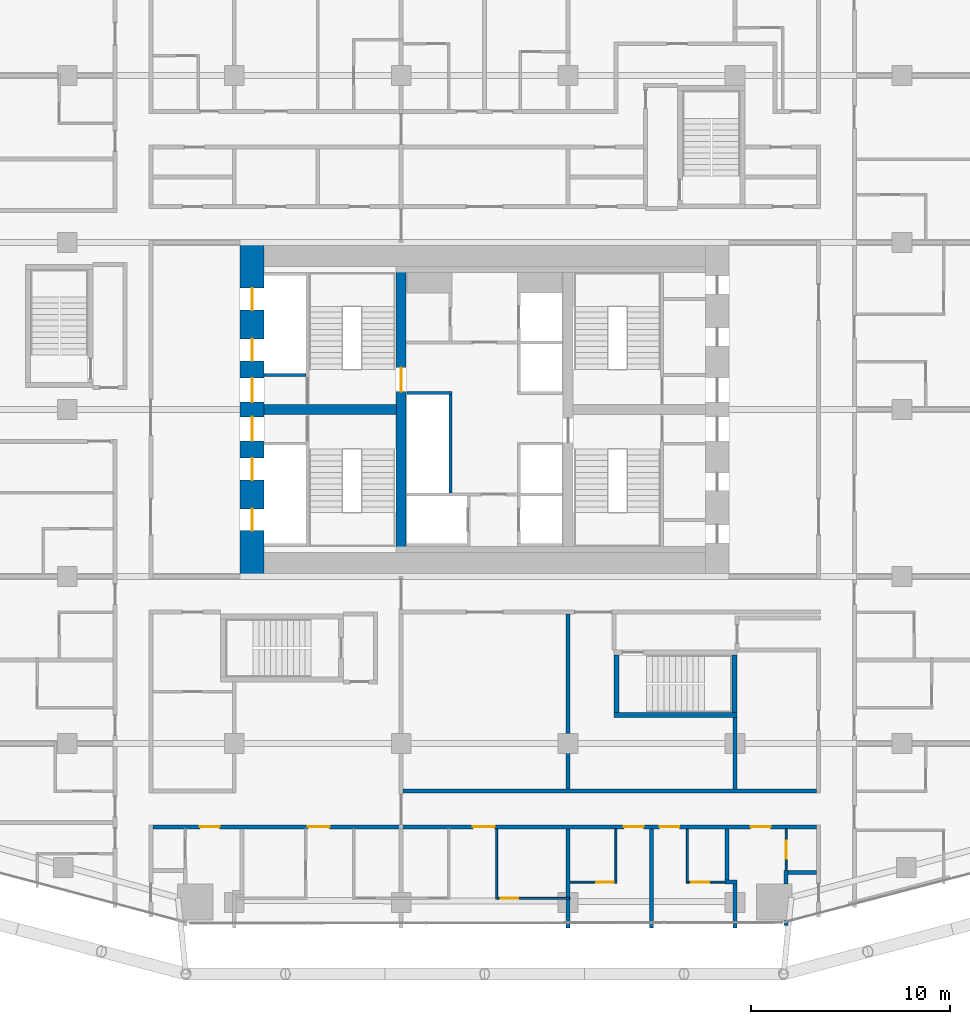
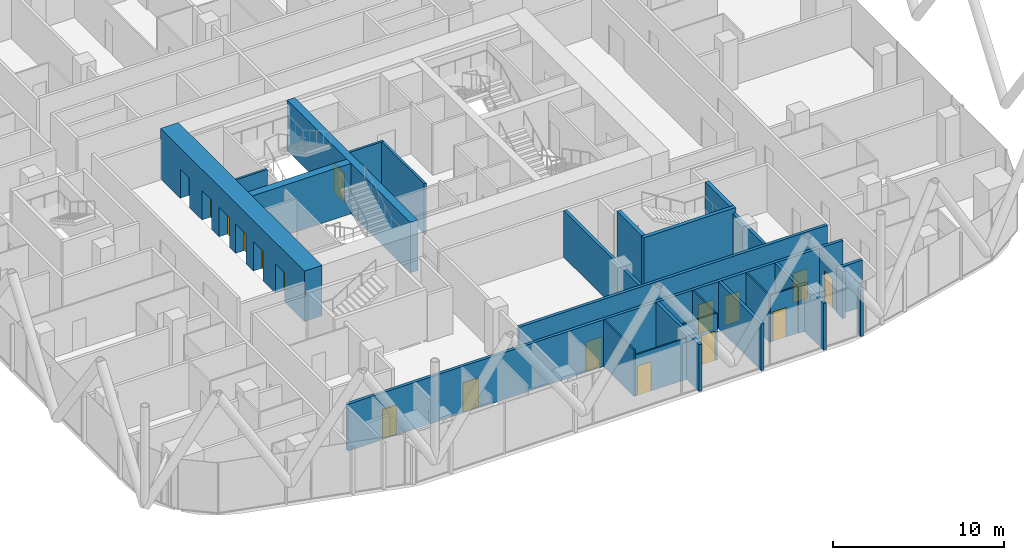
# One storey, part 26 of 34: 28 walls, 17 doors, 17 openings.
"""IFC4 building model written with IfcOpenShell, lengths in metres."""

from ifc_helpers import new_model, si_unit, direction, frame, frame_2d, origin, place, context, subcontext, project, spatial, rectangle, extrude, material, layer, layer_set, type_object, element, fill, save


model = new_model("IFC4")

# Units and contexts
model_context = context("Model", 3, precision=1e-05, world=origin(), true_north=direction((0.0, 1.0)))
body_context = subcontext(model_context, "Body", "Model", "MODEL_VIEW")
ifc_project = project(units=[si_unit("LENGTHUNIT", "METRE"), si_unit("AREAUNIT", "SQUARE_METRE"), si_unit("VOLUMEUNIT", "CUBIC_METRE"), si_unit("PLANEANGLEUNIT", "RADIAN"), si_unit("MASSUNIT", "GRAM", prefix="KILO")], contexts=[model_context])

# Site, building, storey
site_placement = place(None, origin())
site = spatial("IfcSite", under=ifc_project, at=site_placement, CompositionType="ELEMENT")
building_placement = place(site_placement, origin())
building = spatial("IfcBuilding", under=site, at=building_placement, Name="Marenta Gate Hotel Tower", CompositionType="ELEMENT")
storey_placement = place(building_placement, frame((0.0, 0.0, 76.10009765625)))
storey = spatial("IfcBuildingStorey", under=building, at=storey_placement, Name="L17", CompositionType="ELEMENT", Elevation=76.10009765625)

# Walls
ifc_material_1 = material(Name="Concrete C40", Category="concrete")
ifc_layer_1 = layer(ifc_material_1, 0.14990234375)
ifc_layer_set_1 = layer_set([ifc_layer_1], Name="Concrete C40")
wall_type_1 = type_object("IfcWallType", Name="Core shaft wall 150 REI 180", PredefinedType="SHEAR", material=ifc_layer_set_1)
wall_1_placement = place(storey_placement, frame((-11.10009765625, 10.125, 0.0), z_axis=(0.0, 0.0, 1.0), x_axis=(1.0, 0.0, 0.0)))
element("IfcWall", 1, at=wall_1_placement, inside=storey, type_object=wall_type_1, Name="L17-SHF-SW-WN-2", PredefinedType="SHEAR", context=body_context, shape_type="SweptSolid", body=[
    extrude(rectangle(XDim=2.10009765625, YDim=0.14990234375, at=frame_2d((1.050048828125, 0.0))), origin(), (0.0, 0.0, 1.0), 3.599853515625),
])
wall_2_placement = place(storey_placement, frame((-1.72509765625, 4.199951171875, 0.0), z_axis=(0.0, 0.0, 1.0), x_axis=(0.0, 1.0, 0.0)))
element("IfcWall", 2, at=wall_2_placement, inside=storey, type_object=wall_type_1, Name="L17-SHF-CW-W-front", PredefinedType="SHEAR", context=body_context, shape_type="SweptSolid", body=[
    extrude(rectangle(XDim=4.949951171875, YDim=0.14990234375, at=frame_2d((2.47509765625, 0.0))), origin(), (0.0, 0.0, 1.0), 3.599853515625),
])
wall_3_placement = place(storey_placement, frame((-3.89990234375, 9.22509765625, 0.0), z_axis=(0.0, 0.0, 1.0), x_axis=(1.0, 0.0, 0.0)))
element("IfcWall", 3, at=wall_3_placement, inside=storey, type_object=wall_type_1, Name="L17-SHF-CW-W-sep", PredefinedType="SHEAR", context=body_context, shape_type="SweptSolid", body=[
    extrude(rectangle(XDim=2.25, YDim=0.14990234375, at=frame_2d((1.125, 0.0))), origin(), (0.0, 0.0, 1.0), 3.599853515625),
])

# Wall, openings, doors
ifc_material_2 = material(Name="Concrete C80", Category="concrete")
ifc_layer_2 = layer(ifc_material_2, 1.199951171875)
ifc_layer_set_2 = layer_set([ifc_layer_2], Name="Concrete C80")
wall_type_2 = type_object("IfcWallType", Name="Core wall 1200 C80", PredefinedType="SHEAR", material=ifc_layer_set_2)
wall_4_placement = place(storey_placement, frame((-11.699951171875, 0.0, 0.0), z_axis=(0.0, 0.0, 1.0), x_axis=(0.0, 1.0, 0.0)))
wall_4 = element("IfcWall", 4, at=wall_4_placement, inside=storey, type_object=wall_type_2, Name="L17-CORE-W", PredefinedType="SHEAR", context=body_context, shape_type="SweptSolid", body=[
    extrude(rectangle(XDim=16.800048828125, YDim=1.199951171875, at=frame_2d((8.39990234375, 0.0))), origin(), (0.0, 0.0, 1.0), 3.599853515625),
])
opening_1_placement = place(wall_4_placement, frame((2.300048828125, 0.0, 0.0)))
opening_1 = element("IfcOpeningElement", 5, at=opening_1_placement, cuts=wall_4, Name="Opening LD-LR1", PredefinedType="OPENING", context=body_context, shape_type="SweptSolid", body=[
    extrude(rectangle(XDim=1.10009765625, YDim=2.10009765625, at=frame_2d((0.550048828125, 1.050048828125))), frame((0.0, 0.60009765625, 0.0), z_axis=(0.0, -1.0, 0.0), x_axis=(1.0, 0.0, 0.0)), (0.0, 0.0, 1.0), 1.199951171875),
])
opening_2_placement = place(wall_4_placement, frame((4.85009765625, 0.0, 0.0)))
opening_2 = element("IfcOpeningElement", 6, at=opening_2_placement, cuts=wall_4, Name="Opening LD-LR2", PredefinedType="OPENING", context=body_context, shape_type="SweptSolid", body=[
    extrude(rectangle(XDim=1.10009765625, YDim=2.10009765625, at=frame_2d((0.550048828125, 1.050048828125))), frame((0.0, 0.60009765625, 0.0), z_axis=(0.0, -1.0, 0.0), x_axis=(1.0, 0.0, 0.0)), (0.0, 0.0, 1.0), 1.199951171875),
])
opening_3_placement = place(wall_4_placement, frame((6.824951171875, 0.0, 0.0)))
opening_3 = element("IfcOpeningElement", 7, at=opening_3_placement, cuts=wall_4, Name="Opening PD-WS", PredefinedType="OPENING", context=body_context, shape_type="SweptSolid", body=[
    extrude(rectangle(XDim=1.199951171875, YDim=2.10009765625, at=frame_2d((0.60009765625, 1.050048828125))), frame((0.0, 0.60009765625, 0.0), z_axis=(0.0, -1.0, 0.0), x_axis=(1.0, 0.0, 0.0)), (0.0, 0.0, 1.0), 1.199951171875),
])
opening_4_placement = place(wall_4_placement, frame((13.39990234375, 0.0, 0.0)))
opening_4 = element("IfcOpeningElement", 8, at=opening_4_placement, cuts=wall_4, Name="Opening LD-LR4", PredefinedType="OPENING", context=body_context, shape_type="SweptSolid", body=[
    extrude(rectangle(XDim=1.10009765625, YDim=2.10009765625, at=frame_2d((0.550048828125, 1.050048828125))), frame((0.0, 0.60009765625, 0.0), z_axis=(0.0, -1.0, 0.0), x_axis=(1.0, 0.0, 0.0)), (0.0, 0.0, 1.0), 1.199951171875),
])
opening_5_placement = place(wall_4_placement, frame((10.85009765625, 0.0, 0.0)))
opening_5 = element("IfcOpeningElement", 9, at=opening_5_placement, cuts=wall_4, Name="Opening LD-LR3", PredefinedType="OPENING", context=body_context, shape_type="SweptSolid", body=[
    extrude(rectangle(XDim=1.10009765625, YDim=2.10009765625, at=frame_2d((0.550048828125, 1.050048828125))), frame((0.0, 0.60009765625, 0.0), z_axis=(0.0, -1.0, 0.0), x_axis=(1.0, 0.0, 0.0)), (0.0, 0.0, 1.0), 1.199951171875),
])
opening_6_placement = place(wall_4_placement, frame((8.77490234375, 0.0, 0.0)))
opening_6 = element("IfcOpeningElement", 10, at=opening_6_placement, cuts=wall_4, Name="Opening PD-WN", PredefinedType="OPENING", context=body_context, shape_type="SweptSolid", body=[
    extrude(rectangle(XDim=1.199951171875, YDim=2.10009765625, at=frame_2d((0.60009765625, 1.050048828125))), frame((0.0, 0.60009765625, 0.0), z_axis=(0.0, -1.0, 0.0), x_axis=(1.0, 0.0, 0.0)), (0.0, 0.0, 1.0), 1.199951171875),
])
ifc_material_3 = material(Name="Steel", Category="steel")
door_type_1 = type_object("IfcDoorType", Name="Core lift landing door 1100x2100 E 60", OperationType="SLIDING_TO_LEFT", PredefinedType="DOOR", material=ifc_material_3)
door_1_placement = place(opening_1_placement, origin())
door_1 = element("IfcDoor", 11, at=door_1_placement, inside=storey, type_object=door_type_1, Name="LD-LR1", OperationType="SLIDING_TO_LEFT", OverallHeight=2.10009765625, OverallWidth=1.10009765625, PredefinedType="DOOR", context=body_context, shape_type="SweptSolid", body=[
    extrude(rectangle(XDim=1.10009765625, YDim=2.10009765625, at=frame_2d((0.550048828125, 1.050048828125))), frame((0.0, 0.02490234375, 0.0), z_axis=(0.0, -1.0, 0.0), x_axis=(1.0, 0.0, 0.0)), (0.0, 0.0, 1.0), 0.050048828125),
])
fill(opening_1, door_1)
door_2_placement = place(opening_2_placement, origin())
door_2 = element("IfcDoor", 12, at=door_2_placement, inside=storey, type_object=door_type_1, Name="LD-LR2", OperationType="SLIDING_TO_LEFT", OverallHeight=2.10009765625, OverallWidth=1.10009765625, PredefinedType="DOOR", context=body_context, shape_type="SweptSolid", body=[
    extrude(rectangle(XDim=1.10009765625, YDim=2.10009765625, at=frame_2d((0.550048828125, 1.050048828125))), frame((0.0, 0.02490234375, 0.0), z_axis=(0.0, -1.0, 0.0), x_axis=(1.0, 0.0, 0.0)), (0.0, 0.0, 1.0), 0.050048828125),
])
fill(opening_2, door_2)
door_3_placement = place(opening_4_placement, origin())
door_3 = element("IfcDoor", 13, at=door_3_placement, inside=storey, type_object=door_type_1, Name="LD-LR4", OperationType="SLIDING_TO_LEFT", OverallHeight=2.10009765625, OverallWidth=1.10009765625, PredefinedType="DOOR", context=body_context, shape_type="SweptSolid", body=[
    extrude(rectangle(XDim=1.10009765625, YDim=2.10009765625, at=frame_2d((0.550048828125, 1.050048828125))), frame((0.0, 0.02490234375, 0.0), z_axis=(0.0, -1.0, 0.0), x_axis=(1.0, 0.0, 0.0)), (0.0, 0.0, 1.0), 0.050048828125),
])
fill(opening_4, door_3)
door_4_placement = place(opening_5_placement, origin())
door_4 = element("IfcDoor", 14, at=door_4_placement, inside=storey, type_object=door_type_1, Name="LD-LR3", OperationType="SLIDING_TO_LEFT", OverallHeight=2.10009765625, OverallWidth=1.10009765625, PredefinedType="DOOR", context=body_context, shape_type="SweptSolid", body=[
    extrude(rectangle(XDim=1.10009765625, YDim=2.10009765625, at=frame_2d((0.550048828125, 1.050048828125))), frame((0.0, 0.02490234375, 0.0), z_axis=(0.0, -1.0, 0.0), x_axis=(1.0, 0.0, 0.0)), (0.0, 0.0, 1.0), 0.050048828125),
])
fill(opening_5, door_4)
ifc_material_4 = material(Name="Steel", Category="steel")
door_type_2 = type_object("IfcDoorType", Name="Core lobby door 1200x2100 FD60", OperationType="SINGLE_SWING_LEFT", PredefinedType="DOOR", material=ifc_material_4)
door_5_placement = place(opening_3_placement, origin())
door_5 = element("IfcDoor", 15, at=door_5_placement, inside=storey, type_object=door_type_2, Name="PD-WS", OperationType="SINGLE_SWING_LEFT", OverallHeight=2.10009765625, OverallWidth=1.199951171875, PredefinedType="DOOR", context=body_context, shape_type="SweptSolid", body=[
    extrude(rectangle(XDim=1.199951171875, YDim=2.10009765625, at=frame_2d((0.60009765625, 1.050048828125))), frame((0.0, 0.02490234375, 0.0), z_axis=(0.0, -1.0, 0.0), x_axis=(1.0, 0.0, 0.0)), (0.0, 0.0, 1.0), 0.050048828125),
])
fill(opening_3, door_5)
door_6_placement = place(opening_6_placement, origin())
door_6 = element("IfcDoor", 16, at=door_6_placement, inside=storey, type_object=door_type_2, Name="PD-WN", OperationType="SINGLE_SWING_LEFT", OverallHeight=2.10009765625, OverallWidth=1.199951171875, PredefinedType="DOOR", context=body_context, shape_type="SweptSolid", body=[
    extrude(rectangle(XDim=1.199951171875, YDim=2.10009765625, at=frame_2d((0.60009765625, 1.050048828125))), frame((0.0, 0.02490234375, 0.0), z_axis=(0.0, -1.0, 0.0), x_axis=(1.0, 0.0, 0.0)), (0.0, 0.0, 1.0), 0.050048828125),
])
fill(opening_6, door_6)

# Wall, opening, door
ifc_material_5 = material(Name="Concrete C80", Category="concrete")
ifc_layer_3 = layer(ifc_material_5, 0.5)
ifc_layer_set_3 = layer_set([ifc_layer_3], Name="Concrete C80")
wall_type_3 = type_object("IfcWallType", Name="Core web 500 C80", PredefinedType="SHEAR", material=ifc_layer_set_3)
wall_5_placement = place(storey_placement, frame((-4.199951171875, 1.199951171875, 0.0), z_axis=(0.0, 0.0, 1.0), x_axis=(0.0, 1.0, 0.0)))
wall_5 = element("IfcWall", 17, at=wall_5_placement, inside=storey, type_object=wall_type_3, Name="L17-CORE-W1", PredefinedType="SHEAR", context=body_context, shape_type="SweptSolid", body=[
    extrude(rectangle(XDim=14.400146484375, YDim=0.5, at=frame_2d((7.2001953125, 0.0))), origin(), (0.0, 0.0, 1.0), 3.599853515625),
])
opening_7_placement = place(wall_5_placement, frame((8.10009765625, 0.0, 0.0)))
opening_7 = element("IfcOpeningElement", 18, at=opening_7_placement, cuts=wall_5, Name="Opening WD-W", PredefinedType="OPENING", context=body_context, shape_type="SweptSolid", body=[
    extrude(rectangle(XDim=1.199951171875, YDim=2.10009765625, at=frame_2d((0.60009765625, 1.050048828125))), frame((0.0, 0.25, 0.0), z_axis=(0.0, -1.0, 0.0), x_axis=(1.0, 0.0, 0.0)), (0.0, 0.0, 1.0), 0.5),
])
ifc_material_6 = material(Name="Steel", Category="steel")
door_type_3 = type_object("IfcDoorType", Name="Core stair door 1200x2100 FD60", OperationType="SINGLE_SWING_LEFT", PredefinedType="DOOR", material=ifc_material_6)
door_7_placement = place(opening_7_placement, origin())
door_7 = element("IfcDoor", 19, at=door_7_placement, inside=storey, type_object=door_type_3, Name="WD-W", OperationType="SINGLE_SWING_LEFT", OverallHeight=2.10009765625, OverallWidth=1.199951171875, PredefinedType="DOOR", context=body_context, shape_type="SweptSolid", body=[
    extrude(rectangle(XDim=1.199951171875, YDim=2.10009765625, at=frame_2d((0.60009765625, 1.050048828125))), frame((0.0, 0.02490234375, 0.0), z_axis=(0.0, -1.0, 0.0), x_axis=(1.0, 0.0, 0.0)), (0.0, 0.0, 1.0), 0.050048828125),
])
fill(opening_7, door_7)

# Walls
wall_6_placement = place(storey_placement, frame((-11.10009765625, 8.39990234375, 0.0), z_axis=(0.0, 0.0, 1.0), x_axis=(1.0, 0.0, 0.0)))
element("IfcWall", 20, at=wall_6_placement, inside=storey, type_object=wall_type_3, Name="L17-CORE-W3", PredefinedType="SHEAR", context=body_context, shape_type="SweptSolid", body=[
    extrude(rectangle(XDim=6.650146484375, YDim=0.5, at=frame_2d((3.3251953125, 0.0))), origin(), (0.0, 0.0, 1.0), 3.599853515625),
])
ifc_material_7 = material(Name="Concrete C40", Category="concrete")
ifc_layer_4 = layer(ifc_material_7, 0.25)
ifc_layer_set_4 = layer_set([ifc_layer_4], Name="Concrete C40")
wall_type_4 = type_object("IfcWallType", Name="Remote stair enclosure wall 250 REI 180", PredefinedType="SHEAR", material=ifc_layer_set_4)
wall_7_placement = place(storey_placement, frame((6.5, -6.97509765625, 0.099853515625), z_axis=(0.0, 0.0, 1.0), x_axis=(1.0, 0.0, 0.0)))
element("IfcWall", 21, at=wall_7_placement, inside=storey, type_object=wall_type_4, Name="L17-RS-Z1-1-W1", PredefinedType="SHEAR", context=body_context, shape_type="SweptSolid", body=[
    extrude(rectangle(XDim=6.199951171875, YDim=0.25, at=frame_2d((3.10009765625, 0.0))), origin(), (0.0, 0.0, 1.0), 3.60009765625),
])
for number, where, z_axis, x_axis, name in (
    (22, (6.625, -6.85009765625, 0.099853515625), (0.0, 0.0, 1.0), (0.0, 1.0, 0.0), "L17-RS-Z1-1-W3"),
    (23, (12.574951171875, -6.85009765625, 0.099853515625), (0.0, 0.0, 1.0), (0.0, 1.0, 0.0), "L17-RS-Z1-1-W4"),
):
    element("IfcWall", number, at=place(storey_placement, frame(where, z_axis=z_axis, x_axis=x_axis)), inside=storey, type_object=wall_type_4, Name=name, PredefinedType="SHEAR", context=body_context, shape_type="SweptSolid", body=[
        extrude(rectangle(XDim=2.900146484375, YDim=0.25, at=frame_2d((1.4501953125, 0.0))), origin(), (0.0, 0.0, 1.0), 3.60009765625),
    ])

# Wall, openings, doors
ifc_material_8 = material(Name="Gypsum board on steel stud", Category="steel")
ifc_layer_5 = layer(ifc_material_8, 0.199951171875)
ifc_layer_set_5 = layer_set([ifc_layer_5], Name="Gypsum board on steel stud")
wall_type_5 = type_object("IfcWallType", Name="Room corridor wall 200 EI 60", PredefinedType="PARTITIONING", material=ifc_layer_set_5)
wall_8_placement = place(storey_placement, frame((-16.699951171875, -12.60009765625, 0.0), z_axis=(0.0, 0.0, 1.0), x_axis=(1.0, 0.0, 0.0)))
wall_8 = element("IfcWall", 24, at=wall_8_placement, inside=storey, type_object=wall_type_5, Name="L17-PTN-W033", PredefinedType="PARTITIONING", context=body_context, shape_type="SweptSolid", body=[
    extrude(rectangle(XDim=33.39990234375, YDim=0.199951171875, at=frame_2d((16.699951171875, 0.0))), origin(), (0.0, 0.0, 1.0), 3.33984375),
])
opening_8_placement = place(wall_8_placement, frame((7.800048828125, 0.0, 0.0)))
opening_8 = element("IfcOpeningElement", 25, at=opening_8_placement, cuts=wall_8, Name="Opening G06-32", PredefinedType="OPENING", context=body_context, shape_type="SweptSolid", body=[
    extrude(rectangle(XDim=1.10009765625, YDim=2.10009765625, at=frame_2d((0.550048828125, 1.050048828125))), frame((0.0, 0.10009765625, 0.0), z_axis=(0.0, -1.0, 0.0), x_axis=(1.0, 0.0, 0.0)), (0.0, 0.0, 1.0), 0.199951171875),
])
opening_9_placement = place(wall_8_placement, frame((16.10009765625, 0.0, 0.0)))
opening_9 = element("IfcOpeningElement", 26, at=opening_9_placement, cuts=wall_8, Name="Opening G06-35", PredefinedType="OPENING", context=body_context, shape_type="SweptSolid", body=[
    extrude(rectangle(XDim=1.10009765625, YDim=2.10009765625, at=frame_2d((0.550048828125, 1.050048828125))), frame((0.0, 0.10009765625, 0.0), z_axis=(0.0, -1.0, 0.0), x_axis=(1.0, 0.0, 0.0)), (0.0, 0.0, 1.0), 0.199951171875),
])
opening_10_placement = place(wall_8_placement, frame((23.699951171875, 0.0, 0.0)))
opening_10 = element("IfcOpeningElement", 27, at=opening_10_placement, cuts=wall_8, Name="Opening G06-38", PredefinedType="OPENING", context=body_context, shape_type="SweptSolid", body=[
    extrude(rectangle(XDim=1.0, YDim=2.10009765625, at=frame_2d((0.5, 1.050048828125))), frame((0.0, 0.10009765625, 0.0), z_axis=(0.0, -1.0, 0.0), x_axis=(1.0, 0.0, 0.0)), (0.0, 0.0, 1.0), 0.199951171875),
])
opening_11_placement = place(wall_8_placement, frame((25.5, 0.0, 0.0)))
opening_11 = element("IfcOpeningElement", 28, at=opening_11_placement, cuts=wall_8, Name="Opening G06-40", PredefinedType="OPENING", context=body_context, shape_type="SweptSolid", body=[
    extrude(rectangle(XDim=1.0, YDim=2.10009765625, at=frame_2d((0.5, 1.050048828125))), frame((0.0, 0.10009765625, 0.0), z_axis=(0.0, -1.0, 0.0), x_axis=(1.0, 0.0, 0.0)), (0.0, 0.0, 1.0), 0.199951171875),
])
opening_12_placement = place(wall_8_placement, frame((2.366943359375, 0.0, 0.0)))
opening_12 = element("IfcOpeningElement", 29, at=opening_12_placement, cuts=wall_8, Name="Opening G06-76", PredefinedType="OPENING", context=body_context, shape_type="SweptSolid", body=[
    extrude(rectangle(XDim=1.0, YDim=2.10009765625, at=frame_2d((0.5, 1.050048828125))), frame((0.0, 0.10009765625, 0.0), z_axis=(0.0, -1.0, 0.0), x_axis=(1.0, 0.0, 0.0)), (0.0, 0.0, 1.0), 0.199951171875),
])
opening_13_placement = place(wall_8_placement, frame((30.0830078125, 0.0, 0.0)))
opening_13 = element("IfcOpeningElement", 30, at=opening_13_placement, cuts=wall_8, Name="Opening G06-79", PredefinedType="OPENING", context=body_context, shape_type="SweptSolid", body=[
    extrude(rectangle(XDim=1.0, YDim=2.10009765625, at=frame_2d((0.5, 1.050048828125))), frame((0.0, 0.10009765625, 0.0), z_axis=(0.0, -1.0, 0.0), x_axis=(1.0, 0.0, 0.0)), (0.0, 0.0, 1.0), 0.199951171875),
])
ifc_material_9 = material(Name="Timber door leaf", Category="wood")
door_type_4 = type_object("IfcDoorType", Name="Guest room door 1000x2100 EI 30", OperationType="NOTDEFINED", PredefinedType="DOOR", material=ifc_material_9)
door_8_placement = place(opening_10_placement, origin())
door_8 = element("IfcDoor", 31, at=door_8_placement, inside=storey, type_object=door_type_4, Name="L17-PD-D038", OperationType="SINGLE_SWING_RIGHT", OverallHeight=2.10009765625, OverallWidth=1.0, PredefinedType="DOOR", context=body_context, shape_type="SweptSolid", body=[
    extrude(rectangle(XDim=1.0, YDim=2.10009765625, at=frame_2d((0.5, 1.050048828125))), frame((0.0, 0.02490234375, 0.0), z_axis=(0.0, -1.0, 0.0), x_axis=(1.0, 0.0, 0.0)), (0.0, 0.0, 1.0), 0.050048828125),
])
fill(opening_10, door_8)
door_9_placement = place(opening_11_placement, origin())
door_9 = element("IfcDoor", 32, at=door_9_placement, inside=storey, type_object=door_type_4, Name="L17-PD-D040", OperationType="SINGLE_SWING_RIGHT", OverallHeight=2.10009765625, OverallWidth=1.0, PredefinedType="DOOR", context=body_context, shape_type="SweptSolid", body=[
    extrude(rectangle(XDim=1.0, YDim=2.10009765625, at=frame_2d((0.5, 1.050048828125))), frame((0.0, 0.02490234375, 0.0), z_axis=(0.0, -1.0, 0.0), x_axis=(1.0, 0.0, 0.0)), (0.0, 0.0, 1.0), 0.050048828125),
])
fill(opening_11, door_9)
door_10_placement = place(opening_12_placement, origin())
door_10 = element("IfcDoor", 33, at=door_10_placement, inside=storey, type_object=door_type_4, Name="L17-PD-D076", OperationType="SINGLE_SWING_RIGHT", OverallHeight=2.10009765625, OverallWidth=1.0, PredefinedType="DOOR", context=body_context, shape_type="SweptSolid", body=[
    extrude(rectangle(XDim=1.0, YDim=2.10009765625, at=frame_2d((0.5, 1.050048828125))), frame((0.0, 0.02490234375, 0.0), z_axis=(0.0, -1.0, 0.0), x_axis=(1.0, 0.0, 0.0)), (0.0, 0.0, 1.0), 0.050048828125),
])
fill(opening_12, door_10)
door_11_placement = place(opening_13_placement, origin())
door_11 = element("IfcDoor", 34, at=door_11_placement, inside=storey, type_object=door_type_4, Name="L17-PD-D079", OperationType="SINGLE_SWING_LEFT", OverallHeight=2.10009765625, OverallWidth=1.0, PredefinedType="DOOR", context=body_context, shape_type="SweptSolid", body=[
    extrude(rectangle(XDim=1.0, YDim=2.10009765625, at=frame_2d((0.5, 1.050048828125))), frame((0.0, 0.02490234375, 0.0), z_axis=(0.0, -1.0, 0.0), x_axis=(1.0, 0.0, 0.0)), (0.0, 0.0, 1.0), 0.050048828125),
])
fill(opening_13, door_11)
ifc_material_10 = material(Name="Timber door leaf", Category="wood")
door_type_5 = type_object("IfcDoorType", Name="Guest room door 1100x2100 EI 30", OperationType="NOTDEFINED", PredefinedType="DOOR", material=ifc_material_10)
door_12_placement = place(opening_8_placement, origin())
door_12 = element("IfcDoor", 35, at=door_12_placement, inside=storey, type_object=door_type_5, Name="L17-PD-D032", OperationType="SINGLE_SWING_RIGHT", OverallHeight=2.10009765625, OverallWidth=1.10009765625, PredefinedType="DOOR", context=body_context, shape_type="SweptSolid", body=[
    extrude(rectangle(XDim=1.10009765625, YDim=2.10009765625, at=frame_2d((0.550048828125, 1.050048828125))), frame((0.0, 0.02490234375, 0.0), z_axis=(0.0, -1.0, 0.0), x_axis=(1.0, 0.0, 0.0)), (0.0, 0.0, 1.0), 0.050048828125),
])
fill(opening_8, door_12)
door_13_placement = place(opening_9_placement, origin())
door_13 = element("IfcDoor", 36, at=door_13_placement, inside=storey, type_object=door_type_5, Name="L17-PD-D035", OperationType="SINGLE_SWING_LEFT", OverallHeight=2.10009765625, OverallWidth=1.10009765625, PredefinedType="DOOR", context=body_context, shape_type="SweptSolid", body=[
    extrude(rectangle(XDim=1.10009765625, YDim=2.10009765625, at=frame_2d((0.550048828125, 1.050048828125))), frame((0.0, 0.02490234375, 0.0), z_axis=(0.0, -1.0, 0.0), x_axis=(1.0, 0.0, 0.0)), (0.0, 0.0, 1.0), 0.050048828125),
])
fill(opening_9, door_13)

# Wall
wall_9_placement = place(storey_placement, frame((-4.10009765625, -10.800048828125, 0.0), z_axis=(0.0, 0.0, 1.0), x_axis=(1.0, 0.0, 0.0)))
element("IfcWall", 37, at=wall_9_placement, inside=storey, type_object=wall_type_5, Name="L17-PTN-W039", PredefinedType="PARTITIONING", context=body_context, shape_type="SweptSolid", body=[
    extrude(rectangle(XDim=20.800048828125, YDim=0.199951171875, at=frame_2d((10.39990234375, 0.0))), origin(), (0.0, 0.0, 1.0), 3.33984375),
])

# Wall, opening, door
ifc_material_11 = material(Name="Gypsum board on steel stud", Category="steel")
ifc_layer_6 = layer(ifc_material_11, 0.10009765625)
ifc_layer_set_6 = layer_set([ifc_layer_6], Name="Gypsum board on steel stud")
wall_type_6 = type_object("IfcWallType", Name="Room partition 100", PredefinedType="PARTITIONING", material=ifc_layer_set_6)
wall_10_placement = place(storey_placement, frame((0.64990234375, -16.199951171875, 0.0), z_axis=(0.0, 0.0, 1.0), x_axis=(1.0, 0.0, 0.0)))
wall_10 = element("IfcWall", 38, at=wall_10_placement, inside=storey, type_object=wall_type_6, Name="L17-PTN-W016", PredefinedType="PARTITIONING", context=body_context, shape_type="SweptSolid", body=[
    extrude(rectangle(XDim=3.650146484375, YDim=0.10009765625, at=frame_2d((1.8251953125, 0.0))), origin(), (0.0, 0.0, 1.0), 2.93994140625),
])
opening_14_placement = place(wall_10_placement, frame((0.14990234375, 0.0, 0.0)))
opening_14 = element("IfcOpeningElement", 39, at=opening_14_placement, cuts=wall_10, Name="Opening G06-36", PredefinedType="OPENING", context=body_context, shape_type="SweptSolid", body=[
    extrude(rectangle(XDim=0.89990234375, YDim=2.10009765625, at=frame_2d((0.449951171875, 1.050048828125))), frame((0.0, 0.050048828125, 0.0), z_axis=(0.0, -1.0, 0.0), x_axis=(1.0, 0.0, 0.0)), (0.0, 0.0, 1.0), 0.10009765625),
])
ifc_material_12 = material(Name="Timber door leaf", Category="wood")
door_type_6 = type_object("IfcDoorType", Name="Guest bathroom door 900x2100", OperationType="NOTDEFINED", PredefinedType="DOOR", material=ifc_material_12)
door_14_placement = place(opening_14_placement, origin())
door_14 = element("IfcDoor", 40, at=door_14_placement, inside=storey, type_object=door_type_6, Name="L17-PD-D036", OperationType="SINGLE_SWING_LEFT", OverallHeight=2.10009765625, OverallWidth=0.89990234375, PredefinedType="DOOR", context=body_context, shape_type="SweptSolid", body=[
    extrude(rectangle(XDim=0.89990234375, YDim=2.10009765625, at=frame_2d((0.449951171875, 1.050048828125))), frame((0.0, 0.02490234375, 0.0), z_axis=(0.0, -1.0, 0.0), x_axis=(1.0, 0.0, 0.0)), (0.0, 0.0, 1.0), 0.050048828125),
])
fill(opening_14, door_14)

wall_11_placement = place(storey_placement, frame((4.300048828125, -15.375, 0.0), z_axis=(0.0, 0.0, 1.0), x_axis=(1.0, 0.0, 0.0)))
wall_11 = element("IfcWall", 41, at=wall_11_placement, inside=storey, type_object=wall_type_6, Name="L17-PTN-W018", PredefinedType="PARTITIONING", context=body_context, shape_type="SweptSolid", body=[
    extrude(rectangle(XDim=2.349853515625, YDim=0.10009765625, at=frame_2d((1.1748046875, 0.0))), origin(), (0.0, 0.0, 1.0), 3.33984375),
])
opening_15_placement = place(wall_11_placement, frame((1.300048828125, 0.0, 0.0)))
opening_15 = element("IfcOpeningElement", 42, at=opening_15_placement, cuts=wall_11, Name="Opening G06-39", PredefinedType="OPENING", context=body_context, shape_type="SweptSolid", body=[
    extrude(rectangle(XDim=0.89990234375, YDim=2.10009765625, at=frame_2d((0.449951171875, 1.050048828125))), frame((0.0, 0.050048828125, 0.0), z_axis=(0.0, -1.0, 0.0), x_axis=(1.0, 0.0, 0.0)), (0.0, 0.0, 1.0), 0.10009765625),
])
door_15_placement = place(opening_15_placement, origin())
door_15 = element("IfcDoor", 43, at=door_15_placement, inside=storey, type_object=door_type_6, Name="L17-PD-D039", OperationType="SINGLE_SWING_RIGHT", OverallHeight=2.10009765625, OverallWidth=0.89990234375, PredefinedType="DOOR", context=body_context, shape_type="SweptSolid", body=[
    extrude(rectangle(XDim=0.89990234375, YDim=2.10009765625, at=frame_2d((0.449951171875, 1.050048828125))), frame((0.0, 0.02490234375, 0.0), z_axis=(0.0, -1.0, 0.0), x_axis=(1.0, 0.0, 0.0)), (0.0, 0.0, 1.0), 0.050048828125),
])
fill(opening_15, door_15)

wall_12_placement = place(storey_placement, frame((10.25, -15.375, 0.0), z_axis=(0.0, 0.0, 1.0), x_axis=(1.0, 0.0, 0.0)))
wall_12 = element("IfcWall", 44, at=wall_12_placement, inside=storey, type_object=wall_type_6, Name="L17-PTN-W019", PredefinedType="PARTITIONING", context=body_context, shape_type="SweptSolid", body=[
    extrude(rectangle(XDim=2.050048828125, YDim=0.10009765625, at=frame_2d((1.02490234375, 0.0))), origin(), (0.0, 0.0, 1.0), 3.33984375),
])
opening_16_placement = place(wall_12_placement, frame((0.14990234375, 0.0, 0.0)))
opening_16 = element("IfcOpeningElement", 45, at=opening_16_placement, cuts=wall_12, Name="Opening G06-41", PredefinedType="OPENING", context=body_context, shape_type="SweptSolid", body=[
    extrude(rectangle(XDim=0.89990234375, YDim=2.10009765625, at=frame_2d((0.449951171875, 1.050048828125))), frame((0.0, 0.050048828125, 0.0), z_axis=(0.0, -1.0, 0.0), x_axis=(1.0, 0.0, 0.0)), (0.0, 0.0, 1.0), 0.10009765625),
])
door_16_placement = place(opening_16_placement, origin())
door_16 = element("IfcDoor", 46, at=door_16_placement, inside=storey, type_object=door_type_6, Name="L17-PD-D041", OperationType="SINGLE_SWING_LEFT", OverallHeight=2.10009765625, OverallWidth=0.89990234375, PredefinedType="DOOR", context=body_context, shape_type="SweptSolid", body=[
    extrude(rectangle(XDim=0.89990234375, YDim=2.10009765625, at=frame_2d((0.449951171875, 1.050048828125))), frame((0.0, 0.02490234375, 0.0), z_axis=(0.0, -1.0, 0.0), x_axis=(1.0, 0.0, 0.0)), (0.0, 0.0, 1.0), 0.050048828125),
])
fill(opening_16, door_16)

wall_13_placement = place(storey_placement, frame((15.166015625, -15.0, 0.0), z_axis=(0.0, 0.0, 1.0), x_axis=(0.0, 1.0, 0.0)))
wall_13 = element("IfcWall", 47, at=wall_13_placement, inside=storey, type_object=wall_type_6, Name="L17-PTN-W022", PredefinedType="PARTITIONING", context=body_context, shape_type="SweptSolid", body=[
    extrude(rectangle(XDim=2.300048828125, YDim=0.10009765625, at=frame_2d((1.14990234375, 0.0))), origin(), (0.0, 0.0, 1.0), 3.33984375),
])
opening_17_placement = place(wall_13_placement, frame((0.800048828125, 0.0, 0.0)))
opening_17 = element("IfcOpeningElement", 48, at=opening_17_placement, cuts=wall_13, Name="Opening G06-80", PredefinedType="OPENING", context=body_context, shape_type="SweptSolid", body=[
    extrude(rectangle(XDim=0.89990234375, YDim=2.10009765625, at=frame_2d((0.449951171875, 1.050048828125))), frame((0.0, 0.050048828125, 0.0), z_axis=(0.0, -1.0, 0.0), x_axis=(1.0, 0.0, 0.0)), (0.0, 0.0, 1.0), 0.10009765625),
])
door_17_placement = place(opening_17_placement, origin())
door_17 = element("IfcDoor", 49, at=door_17_placement, inside=storey, type_object=door_type_6, Name="L17-PD-D080", OperationType="SINGLE_SWING_RIGHT", OverallHeight=2.10009765625, OverallWidth=0.89990234375, PredefinedType="DOOR", context=body_context, shape_type="SweptSolid", body=[
    extrude(rectangle(XDim=0.89990234375, YDim=2.10009765625, at=frame_2d((0.449951171875, 1.050048828125))), frame((0.0, 0.02490234375, 0.0), z_axis=(0.0, -1.0, 0.0), x_axis=(1.0, 0.0, 0.0)), (0.0, 0.0, 1.0), 0.050048828125),
])
fill(opening_17, door_17)

# Walls
wall_14_placement = place(storey_placement, frame((10.199951171875, -15.425048828125, 0.0), z_axis=(0.0, 0.0, 1.0), x_axis=(0.0, 1.0, 0.0)))
element("IfcWall", 50, at=wall_14_placement, inside=storey, type_object=wall_type_6, Name="L17-PTN-W040", PredefinedType="PARTITIONING", context=body_context, shape_type="SweptSolid", body=[
    extrude(rectangle(XDim=2.72509765625, YDim=0.10009765625, at=frame_2d((1.362548828125, 0.0))), origin(), (0.0, 0.0, 1.0), 3.33984375),
])
wall_15_placement = place(storey_placement, frame((6.60009765625, -15.324951171875, 0.0), z_axis=(0.0, 0.0, 1.0), x_axis=(0.0, 1.0, 0.0)))
element("IfcWall", 51, at=wall_15_placement, inside=storey, type_object=wall_type_6, Name="L17-PTN-W046", PredefinedType="PARTITIONING", context=body_context, shape_type="SweptSolid", body=[
    extrude(rectangle(XDim=2.625, YDim=0.10009765625, at=frame_2d((1.3125, 0.0))), origin(), (0.0, 0.0, 1.0), 3.33984375),
])
wall_16_placement = place(storey_placement, frame((0.60009765625, -16.25, 0.0), z_axis=(0.0, 0.0, 1.0), x_axis=(0.0, 1.0, 0.0)))
element("IfcWall", 52, at=wall_16_placement, inside=storey, type_object=wall_type_6, Name="L17-PTN-W068", PredefinedType="PARTITIONING", context=body_context, shape_type="SweptSolid", body=[
    extrude(rectangle(XDim=3.550048828125, YDim=0.10009765625, at=frame_2d((1.77490234375, 0.0))), origin(), (0.0, 0.0, 1.0), 3.33984375),
])
ifc_material_13 = material(Name="Concrete blockwork", Category="masonry")
ifc_layer_7 = layer(ifc_material_13, 0.199951171875)
ifc_layer_set_7 = layer_set([ifc_layer_7], Name="Concrete blockwork")
wall_type_7 = type_object("IfcWallType", Name="Room party wall 200 EI 120", PredefinedType="PARTITIONING", material=ifc_layer_set_7)
wall_17_placement = place(storey_placement, frame((15.166015625, -17.572998046875, 0.0), z_axis=(0.0, 0.0, 1.0), x_axis=(0.0, 1.0, 0.0)))
element("IfcWall", 53, at=wall_17_placement, inside=storey, type_object=wall_type_7, Name="L17-PTN-W021", PredefinedType="PARTITIONING", context=body_context, shape_type="SweptSolid", body=[
    extrude(rectangle(XDim=0.298095703125, YDim=0.199951171875, at=frame_2d((0.14892578125, 0.0))), origin(), (0.0, 0.0, 1.0), 3.33984375),
])
wall_18_placement = place(storey_placement, frame((15.166015625, -15.47509765625, 0.0), z_axis=(0.0, 0.0, 1.0), x_axis=(0.0, 1.0, 0.0)))
element("IfcWall", 54, at=wall_18_placement, inside=storey, type_object=wall_type_7, Name="L17-PTN-W148", PredefinedType="PARTITIONING", context=body_context, shape_type="SweptSolid", body=[
    extrude(rectangle(XDim=0.675048828125, YDim=0.199951171875, at=frame_2d((0.33740234375, 0.0))), origin(), (0.0, 0.0, 1.0), 3.33984375),
])
wall_19_placement = place(storey_placement, frame((15.216064453125, -14.89990234375, 0.0), z_axis=(0.0, 0.0, 1.0), x_axis=(1.0, 0.0, 0.0)))
element("IfcWall", 55, at=wall_19_placement, inside=storey, type_object=wall_type_7, Name="L17-PTN-W024", PredefinedType="PARTITIONING", context=body_context, shape_type="SweptSolid", body=[
    extrude(rectangle(XDim=1.48388671875, YDim=0.199951171875, at=frame_2d((0.741943359375, 0.0))), origin(), (0.0, 0.0, 1.0), 3.33984375),
])
ifc_material_14 = material(Name="Gypsum board on steel stud", Category="steel")
ifc_layer_8 = layer(ifc_material_14, 0.199951171875)
ifc_layer_set_8 = layer_set([ifc_layer_8], Name="Gypsum board on steel stud")
wall_type_8 = type_object("IfcWallType", Name="Room party wall 200 EI 60", PredefinedType="PARTITIONING", material=ifc_layer_set_8)
wall_20_placement = place(storey_placement, frame((12.10009765625, -15.375, 0.0), z_axis=(0.0, 0.0, 1.0), x_axis=(1.0, 0.0, 0.0)))
element("IfcWall", 56, at=wall_20_placement, inside=storey, type_object=wall_type_8, Name="L17-PTN-W020", PredefinedType="PARTITIONING", context=body_context, shape_type="SweptSolid", body=[
    extrude(rectangle(XDim=0.599853515625, YDim=0.199951171875, at=frame_2d((0.2998046875, 0.0))), origin(), (0.0, 0.0, 1.0), 3.33984375),
])
wall_21_placement = place(storey_placement, frame((12.60009765625, -17.699951171875, 0.0), z_axis=(0.0, 0.0, 1.0), x_axis=(0.0, 1.0, 0.0)))
element("IfcWall", 57, at=wall_21_placement, inside=storey, type_object=wall_type_8, Name="L17-PTN-W030", PredefinedType="PARTITIONING", context=body_context, shape_type="SweptSolid", body=[
    extrude(rectangle(XDim=2.224853515625, YDim=0.199951171875, at=frame_2d((1.1123046875, 0.0))), origin(), (0.0, 0.0, 1.0), 3.33984375),
])
wall_22_placement = place(storey_placement, frame((12.60009765625, -10.699951171875, 0.0), z_axis=(0.0, 0.0, 1.0), x_axis=(0.0, 1.0, 0.0)))
element("IfcWall", 58, at=wall_22_placement, inside=storey, type_object=wall_type_8, Name="L17-PTN-W031", PredefinedType="PARTITIONING", context=body_context, shape_type="SweptSolid", body=[
    extrude(rectangle(XDim=3.599853515625, YDim=0.199951171875, at=frame_2d((1.7998046875, 0.0))), origin(), (0.0, 0.0, 1.0), 3.33984375),
])
wall_23_placement = place(storey_placement, frame((12.199951171875, -15.324951171875, 0.0), z_axis=(0.0, 0.0, 1.0), x_axis=(0.0, 1.0, 0.0)))
element("IfcWall", 59, at=wall_23_placement, inside=storey, type_object=wall_type_8, Name="L17-PTN-W035", PredefinedType="PARTITIONING", context=body_context, shape_type="SweptSolid", body=[
    extrude(rectangle(XDim=2.625, YDim=0.199951171875, at=frame_2d((1.3125, 0.0))), origin(), (0.0, 0.0, 1.0), 3.33984375),
])
for number, where, z_axis, x_axis, name in (
    (60, (8.39990234375, -17.699951171875, 0.0), (0.0, 0.0, 1.0), (0.0, 1.0, 0.0), "L17-PTN-W041"),
    (61, (4.199951171875, -17.699951171875, 0.0), (0.0, 0.0, 1.0), (0.0, 1.0, 0.0), "L17-PTN-W053"),
):
    element("IfcWall", number, at=place(storey_placement, frame(where, z_axis=z_axis, x_axis=x_axis)), inside=storey, type_object=wall_type_8, Name=name, PredefinedType="PARTITIONING", context=body_context, shape_type="SweptSolid", body=[
        extrude(rectangle(XDim=5.0, YDim=0.199951171875, at=frame_2d((2.5, 0.0))), origin(), (0.0, 0.0, 1.0), 3.33984375),
    ])
wall_24_placement = place(storey_placement, frame((4.199951171875, -10.699951171875, 0.0), z_axis=(0.0, 0.0, 1.0), x_axis=(0.0, 1.0, 0.0)))
element("IfcWall", 62, at=wall_24_placement, inside=storey, type_object=wall_type_8, Name="L17-PTN-W054", PredefinedType="PARTITIONING", context=body_context, shape_type="SweptSolid", body=[
    extrude(rectangle(XDim=8.800048828125, YDim=0.199951171875, at=frame_2d((4.39990234375, 0.0))), origin(), (0.0, 0.0, 1.0), 3.33984375),
])

save(model, "model.ifc")
